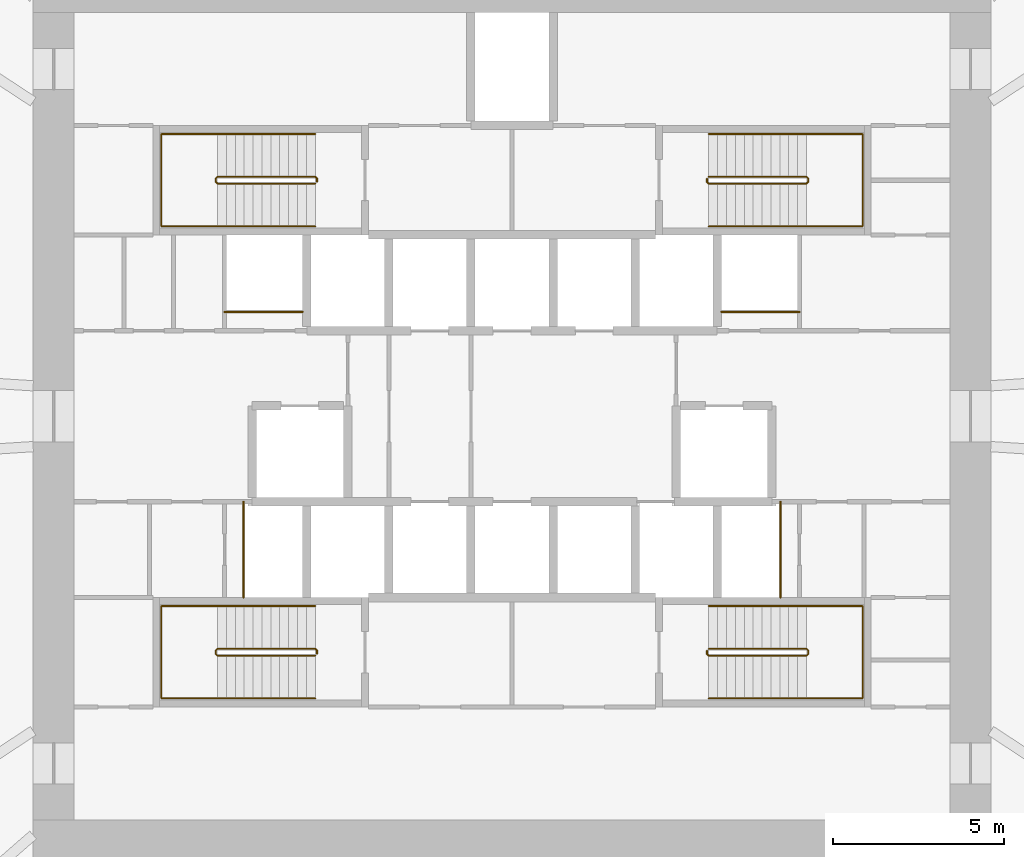
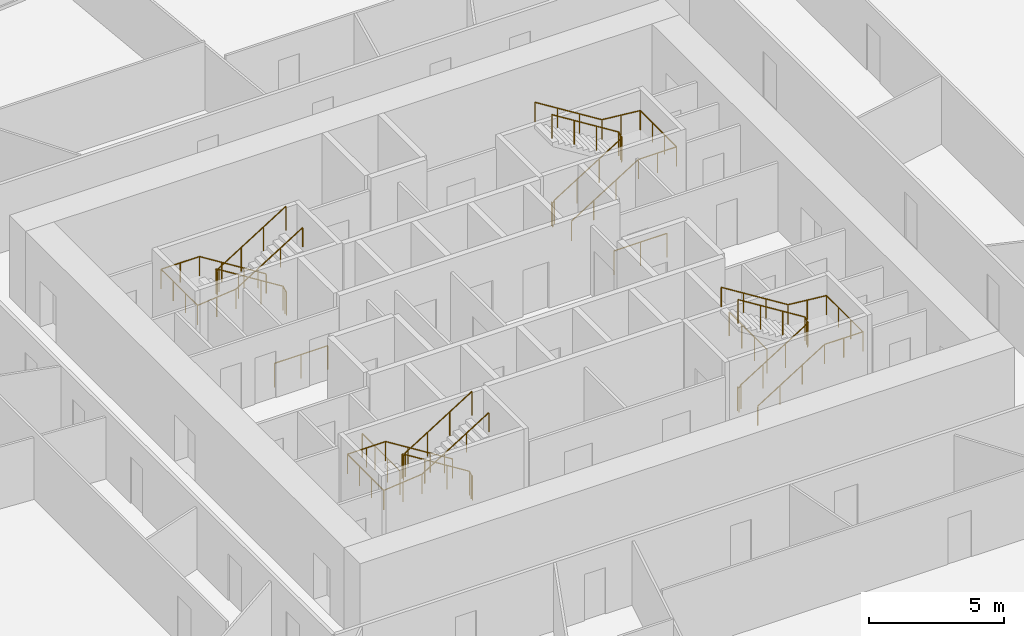
# One storey, part 11 of 11: 12 railings.
"""IFC4 building model written with IfcOpenShell, lengths in metres."""

from ifc_helpers import new_model, si_unit, direction, frame, origin, origin_2d, place, context, subcontext, project, spatial, circle, extrude, source, transform, mapped, material, type_object, element, save


model = new_model("IFC4")

# Units and contexts
model_context = context("Model", 3, precision=1e-05, world=origin(), true_north=direction((0.0, 1.0)))
body_context = subcontext(model_context, "Body", "Model", "MODEL_VIEW")
ifc_project = project(units=[si_unit("LENGTHUNIT", "METRE"), si_unit("AREAUNIT", "SQUARE_METRE"), si_unit("VOLUMEUNIT", "CUBIC_METRE"), si_unit("PLANEANGLEUNIT", "RADIAN"), si_unit("MASSUNIT", "GRAM", prefix="KILO")], contexts=[model_context])

# Site, building, storey
site_placement = place(None, origin())
site = spatial("IfcSite", under=ifc_project, at=site_placement, CompositionType="ELEMENT")
building_placement = place(site_placement, origin())
building = spatial("IfcBuilding", under=site, at=building_placement, Name="Embergate Tower", CompositionType="ELEMENT")
storey_placement = place(building_placement, frame((0.0, 0.0, 41.89990234375)))
storey = spatial("IfcBuildingStorey", under=building, at=storey_placement, Name="L06", CompositionType="ELEMENT", Elevation=41.89990234375)

# Railings
ifc_material_1 = material(Name="Stair guard 1100")
railing_type_1 = type_object("IfcRailingType", Name="Stair guard 1100", PredefinedType="GUARDRAIL", material=ifc_material_1)
shared_shape_1 = source(origin(), body_context, "Body", "SweptSolid", [
    extrude(circle(Radius=0.02392578125, at=origin_2d()), frame((0.0, 0.0, 1.076171875), z_axis=(0.0, 1.0, 0.0), x_axis=(-1.0, 0.0, 0.0)), (0.0, 0.0, 1.0), 0.099853515625),
    extrude(circle(Radius=0.02392578125, at=origin_2d()), frame((0.0, 0.099853515625, 1.076171875), z_axis=(-0.282227285176, 0.282227285176, 0.916894497205), x_axis=(-0.707106781187, -0.707106781187, 0.0)), (0.0, 0.0, 1.0), 0.17724609375),
    extrude(circle(Radius=0.02392578125, at=origin_2d()), frame((-0.050048828125, 0.14990234375, 1.23876953125), z_axis=(-0.847994237388, 0.0, 0.530005446535), x_axis=(0.0, -1.0, 0.0)), (0.0, 0.0, 1.0), 3.372802734375),
    extrude(circle(Radius=0.02392578125, at=origin_2d()), frame((-2.91015625, 0.14990234375, 3.0263671875), z_axis=(-0.705375805398, -0.708833529934, 0.0), x_axis=(0.708833529934, -0.705375805398, 0.0)), (0.0, 0.0, 1.0), 0.070556640625),
    extrude(circle(Radius=0.02392578125, at=origin_2d()), frame((-2.9599609375, 0.099853515625, 3.0263671875), z_axis=(0.0, -1.0, 0.0), x_axis=(1.0, 0.0, 0.0)), (0.0, 0.0, 1.0), 0.099853515625),
    extrude(circle(Radius=0.02392578125, at=origin_2d()), frame((-2.9599609375, 0.0, 3.0263671875), z_axis=(0.281314826061, -0.282693820306, 0.917031173188), x_axis=(0.708833529934, 0.705375805398, 0.0)), (0.0, 0.0, 1.0), 0.177001953125),
    extrude(circle(Radius=0.02392578125, at=origin_2d()), frame((-2.91015625, -0.050048828125, 3.1884765625), z_axis=(0.847994237388, 0.0, 0.530005446535), x_axis=(0.0, 1.0, 0.0)), (0.0, 0.0, 1.0), 3.372802734375),
    extrude(circle(Radius=0.02099609375, at=origin_2d()), origin(), (0.0, 0.0, 1.0), 1.052001953125),
    extrude(circle(Radius=0.02099609375, at=origin_2d()), frame((0.0, 0.099853515625, 0.0)), (0.0, 0.0, 1.0), 1.052001953125),
    extrude(circle(Radius=0.02099609375, at=origin_2d()), frame((-0.050048828125, 0.14990234375, 0.16259765625)), (0.0, 0.0, 1.0), 1.052001953125),
    extrude(circle(Radius=0.02099609375, at=origin_2d()), frame((-1.00341796875, 0.14990234375, 0.758544921875)), (0.0, 0.0, 1.0), 1.052001953125),
    extrude(circle(Radius=0.02099609375, at=origin_2d()), frame((-1.956787109375, 0.14990234375, 1.354248046875)), (0.0, 0.0, 1.0), 1.052001953125),
    extrude(circle(Radius=0.02099609375, at=origin_2d()), frame((-2.91015625, 0.14990234375, 1.9501953125)), (0.0, 0.0, 1.0), 1.052001953125),
    extrude(circle(Radius=0.02099609375, at=origin_2d()), frame((-2.9599609375, 0.099853515625, 1.9501953125)), (0.0, 0.0, 1.0), 1.052001953125),
    extrude(circle(Radius=0.02099609375, at=origin_2d()), frame((-2.9599609375, 0.0, 1.9501953125)), (0.0, 0.0, 1.0), 1.052001953125),
    extrude(circle(Radius=0.02099609375, at=origin_2d()), frame((-2.91015625, -0.050048828125, 2.112548828125)), (0.0, 0.0, 1.0), 1.052001953125),
    extrude(circle(Radius=0.02099609375, at=origin_2d()), frame((-1.956787109375, -0.050048828125, 2.70849609375)), (0.0, 0.0, 1.0), 1.052001953125),
    extrude(circle(Radius=0.02099609375, at=origin_2d()), frame((-1.00341796875, -0.050048828125, 3.30419921875)), (0.0, 0.0, 1.0), 1.052001953125),
    extrude(circle(Radius=0.02099609375, at=origin_2d()), frame((-0.050048828125, -0.050048828125, 3.900146484375)), (0.0, 0.0, 1.0), 1.052001953125),
])
for number, where, name in (
    (1, (-5.699951171875, 6.85009765625, 0.0), "L06 ST1 stair guard 1"),
    (2, (-5.699951171875, -6.949951171875, 0.0), "L06 ST3 stair guard 1"),
):
    element("IfcRailing", number, at=place(storey_placement, frame(where)), inside=storey, type_object=railing_type_1, Name=name, PredefinedType="GUARDRAIL", context=body_context, shape_type="MappedRepresentation", body=[
        mapped(shared_shape_1, transform((0.0, 0.0, 0.0))),
    ])
ifc_material_2 = material(Name="Stair handrail 900")
railing_type_2 = type_object("IfcRailingType", Name="Stair handrail 900", PredefinedType="HANDRAIL", material=ifc_material_2)
shared_shape_2 = source(origin(), body_context, "Body", "SweptSolid", [
    extrude(circle(Radius=0.02392578125, at=origin_2d()), frame((0.0, 0.0, 0.8759765625), z_axis=(-0.847994237388, 0.0, 0.530005446535), x_axis=(0.0, -1.0, 0.0)), (0.0, 0.0, 1.0), 3.372802734375),
    extrude(circle(Radius=0.02392578125, at=origin_2d()), frame((-2.860107421875, 0.0, 2.66357421875), z_axis=(-1.0, 0.0, 0.0), x_axis=(0.0, -1.0, 0.0)), (0.0, 0.0, 1.0), 1.639892578125),
    extrude(circle(Radius=0.02392578125, at=origin_2d()), frame((-4.5, 0.0, 2.66357421875), z_axis=(0.0, -1.0, 0.0), x_axis=(1.0, 0.0, 0.0)), (0.0, 0.0, 1.0), 2.699951171875),
    extrude(circle(Radius=0.02392578125, at=origin_2d()), frame((-4.5, -2.699951171875, 2.66357421875), z_axis=(0.995134983717, 0.0, 0.098520881967), x_axis=(0.0, 1.0, 0.0)), (0.0, 0.0, 1.0), 1.64794921875),
    extrude(circle(Radius=0.02392578125, at=origin_2d()), frame((-2.860107421875, -2.699951171875, 2.82568359375), z_axis=(0.847994237388, 0.0, 0.530005446535), x_axis=(0.0, 1.0, 0.0)), (0.0, 0.0, 1.0), 3.372802734375),
    extrude(circle(Radius=0.02099609375, at=origin_2d()), origin(), (0.0, 0.0, 1.0), 0.851806640625),
    extrude(circle(Radius=0.02099609375, at=origin_2d()), frame((-0.953369140625, 0.0, 0.595947265625)), (0.0, 0.0, 1.0), 0.851806640625),
    extrude(circle(Radius=0.02099609375, at=origin_2d()), frame((-1.90673828125, 0.0, 1.191650390625)), (0.0, 0.0, 1.0), 0.851806640625),
    extrude(circle(Radius=0.02099609375, at=origin_2d()), frame((-2.860107421875, 0.0, 1.78759765625)), (0.0, 0.0, 1.0), 0.851806640625),
    extrude(circle(Radius=0.02099609375, at=origin_2d()), frame((-3.68017578125, 0.0, 1.78759765625)), (0.0, 0.0, 1.0), 0.851806640625),
    extrude(circle(Radius=0.02099609375, at=origin_2d()), frame((-4.5, 0.0, 1.78759765625)), (0.0, 0.0, 1.0), 0.851806640625),
    extrude(circle(Radius=0.02099609375, at=origin_2d()), frame((-4.5, -0.89990234375, 1.78759765625)), (0.0, 0.0, 1.0), 0.851806640625),
    extrude(circle(Radius=0.02099609375, at=origin_2d()), frame((-4.5, -1.800048828125, 1.78759765625)), (0.0, 0.0, 1.0), 0.851806640625),
    extrude(circle(Radius=0.02099609375, at=origin_2d()), frame((-4.5, -2.699951171875, 1.78759765625)), (0.0, 0.0, 1.0), 0.851806640625),
    extrude(circle(Radius=0.02099609375, at=origin_2d()), frame((-3.68017578125, -2.699951171875, 1.86865234375)), (0.0, 0.0, 1.0), 0.851806640625),
    extrude(circle(Radius=0.02099609375, at=origin_2d()), frame((-2.860107421875, -2.699951171875, 1.949951171875)), (0.0, 0.0, 1.0), 0.851806640625),
    extrude(circle(Radius=0.02099609375, at=origin_2d()), frame((-1.90673828125, -2.699951171875, 2.5458984375)), (0.0, 0.0, 1.0), 0.851806640625),
    extrude(circle(Radius=0.02099609375, at=origin_2d()), frame((-0.953369140625, -2.699951171875, 3.1416015625)), (0.0, 0.0, 1.0), 0.851806640625),
    extrude(circle(Radius=0.02099609375, at=origin_2d()), frame((0.0, -2.699951171875, 3.737548828125)), (0.0, 0.0, 1.0), 0.851806640625),
])
for number, where, name in (
    (3, (-5.75, 8.25, 0.16259765625), "L06 ST1 stair handrail 1"),
    (4, (-5.75, -5.550048828125, 0.16259765625), "L06 ST3 stair handrail 1"),
):
    element("IfcRailing", number, at=place(storey_placement, frame(where)), inside=storey, type_object=railing_type_2, Name=name, PredefinedType="HANDRAIL", context=body_context, shape_type="MappedRepresentation", body=[
        mapped(shared_shape_2, transform((0.0, 0.0, 0.0))),
    ])
shared_shape_3 = source(origin(), body_context, "Body", "SweptSolid", [
    extrude(circle(Radius=0.02392578125, at=origin_2d()), frame((0.0, 0.0, 1.076171875), z_axis=(0.0, -1.0, 0.0), x_axis=(1.0, 0.0, 0.0)), (0.0, 0.0, 1.0), 0.099853515625),
    extrude(circle(Radius=0.02392578125, at=origin_2d()), frame((0.0, -0.099853515625, 1.076171875), z_axis=(0.282227285176, -0.282227285176, 0.916894497205), x_axis=(0.707106781187, 0.707106781187, 0.0)), (0.0, 0.0, 1.0), 0.17724609375),
    extrude(circle(Radius=0.02392578125, at=origin_2d()), frame((0.050048828125, -0.14990234375, 1.23876953125), z_axis=(0.847994237388, 0.0, 0.530005446535), x_axis=(0.0, 1.0, 0.0)), (0.0, 0.0, 1.0), 3.372802734375),
    extrude(circle(Radius=0.02392578125, at=origin_2d()), frame((2.91015625, -0.14990234375, 3.0263671875), z_axis=(0.705375805398, 0.708833529934, 0.0), x_axis=(-0.708833529934, 0.705375805398, 0.0)), (0.0, 0.0, 1.0), 0.070556640625),
    extrude(circle(Radius=0.02392578125, at=origin_2d()), frame((2.9599609375, -0.099853515625, 3.0263671875), z_axis=(0.0, 1.0, 0.0), x_axis=(-1.0, 0.0, 0.0)), (0.0, 0.0, 1.0), 0.099853515625),
    extrude(circle(Radius=0.02392578125, at=origin_2d()), frame((2.9599609375, 0.0, 3.0263671875), z_axis=(-0.281314826061, 0.282693820306, 0.917031173188), x_axis=(-0.708833529934, -0.705375805398, 0.0)), (0.0, 0.0, 1.0), 0.177001953125),
    extrude(circle(Radius=0.02392578125, at=origin_2d()), frame((2.91015625, 0.050048828125, 3.1884765625), z_axis=(-0.847994237388, 0.0, 0.530005446535), x_axis=(0.0, -1.0, 0.0)), (0.0, 0.0, 1.0), 3.372802734375),
    extrude(circle(Radius=0.02099609375, at=origin_2d()), origin(), (0.0, 0.0, 1.0), 1.052001953125),
    extrude(circle(Radius=0.02099609375, at=origin_2d()), frame((0.0, -0.099853515625, 0.0)), (0.0, 0.0, 1.0), 1.052001953125),
    extrude(circle(Radius=0.02099609375, at=origin_2d()), frame((0.050048828125, -0.14990234375, 0.16259765625)), (0.0, 0.0, 1.0), 1.052001953125),
    extrude(circle(Radius=0.02099609375, at=origin_2d()), frame((1.00341796875, -0.14990234375, 0.758544921875)), (0.0, 0.0, 1.0), 1.052001953125),
    extrude(circle(Radius=0.02099609375, at=origin_2d()), frame((1.956787109375, -0.14990234375, 1.354248046875)), (0.0, 0.0, 1.0), 1.052001953125),
    extrude(circle(Radius=0.02099609375, at=origin_2d()), frame((2.91015625, -0.14990234375, 1.9501953125)), (0.0, 0.0, 1.0), 1.052001953125),
    extrude(circle(Radius=0.02099609375, at=origin_2d()), frame((2.9599609375, -0.099853515625, 1.9501953125)), (0.0, 0.0, 1.0), 1.052001953125),
    extrude(circle(Radius=0.02099609375, at=origin_2d()), frame((2.9599609375, 0.0, 1.9501953125)), (0.0, 0.0, 1.0), 1.052001953125),
    extrude(circle(Radius=0.02099609375, at=origin_2d()), frame((2.91015625, 0.050048828125, 2.112548828125)), (0.0, 0.0, 1.0), 1.052001953125),
    extrude(circle(Radius=0.02099609375, at=origin_2d()), frame((1.956787109375, 0.050048828125, 2.70849609375)), (0.0, 0.0, 1.0), 1.052001953125),
    extrude(circle(Radius=0.02099609375, at=origin_2d()), frame((1.00341796875, 0.050048828125, 3.30419921875)), (0.0, 0.0, 1.0), 1.052001953125),
    extrude(circle(Radius=0.02099609375, at=origin_2d()), frame((0.050048828125, 0.050048828125, 3.900146484375)), (0.0, 0.0, 1.0), 1.052001953125),
])
for number, where, name in (
    (5, (5.699951171875, 6.949951171875, 0.0), "L06 ST2 stair guard 1"),
    (6, (5.699951171875, -6.85009765625, 0.0), "L06 ST4 stair guard 1"),
):
    element("IfcRailing", number, at=place(storey_placement, frame(where)), inside=storey, type_object=railing_type_1, Name=name, PredefinedType="GUARDRAIL", context=body_context, shape_type="MappedRepresentation", body=[
        mapped(shared_shape_3, transform((0.0, 0.0, 0.0))),
    ])
shared_shape_4 = source(origin(), body_context, "Body", "SweptSolid", [
    extrude(circle(Radius=0.02392578125, at=origin_2d()), frame((0.0, 0.0, 0.8759765625), z_axis=(0.847994237388, 0.0, 0.530005446535), x_axis=(0.0, 1.0, 0.0)), (0.0, 0.0, 1.0), 3.372802734375),
    extrude(circle(Radius=0.02392578125, at=origin_2d()), frame((2.860107421875, 0.0, 2.66357421875), z_axis=(1.0, 0.0, 0.0), x_axis=(0.0, 1.0, 0.0)), (0.0, 0.0, 1.0), 1.639892578125),
    extrude(circle(Radius=0.02392578125, at=origin_2d()), frame((4.5, 0.0, 2.66357421875), z_axis=(0.0, 1.0, 0.0), x_axis=(-1.0, 0.0, 0.0)), (0.0, 0.0, 1.0), 2.699951171875),
    extrude(circle(Radius=0.02392578125, at=origin_2d()), frame((4.5, 2.699951171875, 2.66357421875), z_axis=(-0.995134983717, 0.0, 0.098520881967), x_axis=(0.0, -1.0, 0.0)), (0.0, 0.0, 1.0), 1.64794921875),
    extrude(circle(Radius=0.02392578125, at=origin_2d()), frame((2.860107421875, 2.699951171875, 2.82568359375), z_axis=(-0.847994237388, 0.0, 0.530005446535), x_axis=(0.0, -1.0, 0.0)), (0.0, 0.0, 1.0), 3.372802734375),
    extrude(circle(Radius=0.02099609375, at=origin_2d()), origin(), (0.0, 0.0, 1.0), 0.851806640625),
    extrude(circle(Radius=0.02099609375, at=origin_2d()), frame((0.953369140625, 0.0, 0.595947265625)), (0.0, 0.0, 1.0), 0.851806640625),
    extrude(circle(Radius=0.02099609375, at=origin_2d()), frame((1.90673828125, 0.0, 1.191650390625)), (0.0, 0.0, 1.0), 0.851806640625),
    extrude(circle(Radius=0.02099609375, at=origin_2d()), frame((2.860107421875, 0.0, 1.78759765625)), (0.0, 0.0, 1.0), 0.851806640625),
    extrude(circle(Radius=0.02099609375, at=origin_2d()), frame((3.68017578125, 0.0, 1.78759765625)), (0.0, 0.0, 1.0), 0.851806640625),
    extrude(circle(Radius=0.02099609375, at=origin_2d()), frame((4.5, 0.0, 1.78759765625)), (0.0, 0.0, 1.0), 0.851806640625),
    extrude(circle(Radius=0.02099609375, at=origin_2d()), frame((4.5, 0.89990234375, 1.78759765625)), (0.0, 0.0, 1.0), 0.851806640625),
    extrude(circle(Radius=0.02099609375, at=origin_2d()), frame((4.5, 1.800048828125, 1.78759765625)), (0.0, 0.0, 1.0), 0.851806640625),
    extrude(circle(Radius=0.02099609375, at=origin_2d()), frame((4.5, 2.699951171875, 1.78759765625)), (0.0, 0.0, 1.0), 0.851806640625),
    extrude(circle(Radius=0.02099609375, at=origin_2d()), frame((3.68017578125, 2.699951171875, 1.86865234375)), (0.0, 0.0, 1.0), 0.851806640625),
    extrude(circle(Radius=0.02099609375, at=origin_2d()), frame((2.860107421875, 2.699951171875, 1.949951171875)), (0.0, 0.0, 1.0), 0.851806640625),
    extrude(circle(Radius=0.02099609375, at=origin_2d()), frame((1.90673828125, 2.699951171875, 2.5458984375)), (0.0, 0.0, 1.0), 0.851806640625),
    extrude(circle(Radius=0.02099609375, at=origin_2d()), frame((0.953369140625, 2.699951171875, 3.1416015625)), (0.0, 0.0, 1.0), 0.851806640625),
    extrude(circle(Radius=0.02099609375, at=origin_2d()), frame((0.0, 2.699951171875, 3.737548828125)), (0.0, 0.0, 1.0), 0.851806640625),
])
for number, where, name in (
    (7, (5.75, 5.550048828125, 0.16259765625), "L06 ST2 stair handrail 1"),
    (8, (5.75, -8.25, 0.16259765625), "L06 ST4 stair handrail 1"),
):
    element("IfcRailing", number, at=place(storey_placement, frame(where)), inside=storey, type_object=railing_type_2, Name=name, PredefinedType="HANDRAIL", context=body_context, shape_type="MappedRepresentation", body=[
        mapped(shared_shape_4, transform((0.0, 0.0, 0.0))),
    ])
ifc_material_3 = material(Name="Opening guard 1100")
railing_type_3 = type_object("IfcRailingType", Name="Opening guard 1100", PredefinedType="GUARDRAIL", material=ifc_material_3)
shared_shape_5 = source(origin(), body_context, "Body", "SweptSolid", [
    extrude(circle(Radius=0.02392578125, at=origin_2d()), frame((0.0, 0.0, 1.076171875), z_axis=(1.0, 0.0, 0.0), x_axis=(0.0, 1.0, 0.0)), (0.0, 0.0, 1.0), 2.27490234375),
    extrude(circle(Radius=0.02099609375, at=origin_2d()), origin(), (0.0, 0.0, 1.0), 1.052001953125),
    extrude(circle(Radius=0.02099609375, at=origin_2d()), frame((1.137451171875, 0.0, 0.0)), (0.0, 0.0, 1.0), 1.052001953125),
    extrude(circle(Radius=0.02099609375, at=origin_2d()), frame((2.27490234375, 0.0, 0.0)), (0.0, 0.0, 1.0), 1.052001953125),
])
for number, where, name in (
    (9, (-8.39990234375, 3.050048828125, 0.0), "Riser opening guard"),
    (10, (6.125, 3.050048828125, 0.0), "Riser opening guard"),
):
    element("IfcRailing", number, at=place(storey_placement, frame(where)), inside=storey, type_object=railing_type_3, Name=name, PredefinedType="GUARDRAIL", context=body_context, shape_type="MappedRepresentation", body=[
        mapped(shared_shape_5, transform((0.0, 0.0, 0.0))),
    ])
shared_shape_6 = source(origin(), body_context, "Body", "SweptSolid", [
    extrude(circle(Radius=0.02392578125, at=origin_2d()), frame((0.0, 0.0, 1.076171875), z_axis=(0.0, 1.0, 0.0), x_axis=(-1.0, 0.0, 0.0)), (0.0, 0.0, 1.0), 2.800048828125),
    extrude(circle(Radius=0.02099609375, at=origin_2d()), origin(), (0.0, 0.0, 1.0), 1.052001953125),
    extrude(circle(Radius=0.02099609375, at=origin_2d()), frame((0.0, 0.933349609375, 0.0)), (0.0, 0.0, 1.0), 1.052001953125),
    extrude(circle(Radius=0.02099609375, at=origin_2d()), frame((0.0, 1.86669921875, 0.0)), (0.0, 0.0, 1.0), 1.052001953125),
    extrude(circle(Radius=0.02099609375, at=origin_2d()), frame((0.0, 2.800048828125, 0.0)), (0.0, 0.0, 1.0), 1.052001953125),
])
for number, where, name in (
    (11, (-7.85009765625, -5.300048828125, 0.0), "Riser opening guard"),
    (12, (7.85009765625, -5.300048828125, 0.0), "Riser opening guard"),
):
    element("IfcRailing", number, at=place(storey_placement, frame(where)), inside=storey, type_object=railing_type_3, Name=name, PredefinedType="GUARDRAIL", context=body_context, shape_type="MappedRepresentation", body=[
        mapped(shared_shape_6, transform((0.0, 0.0, 0.0))),
    ])

save(model, "model.ifc")
